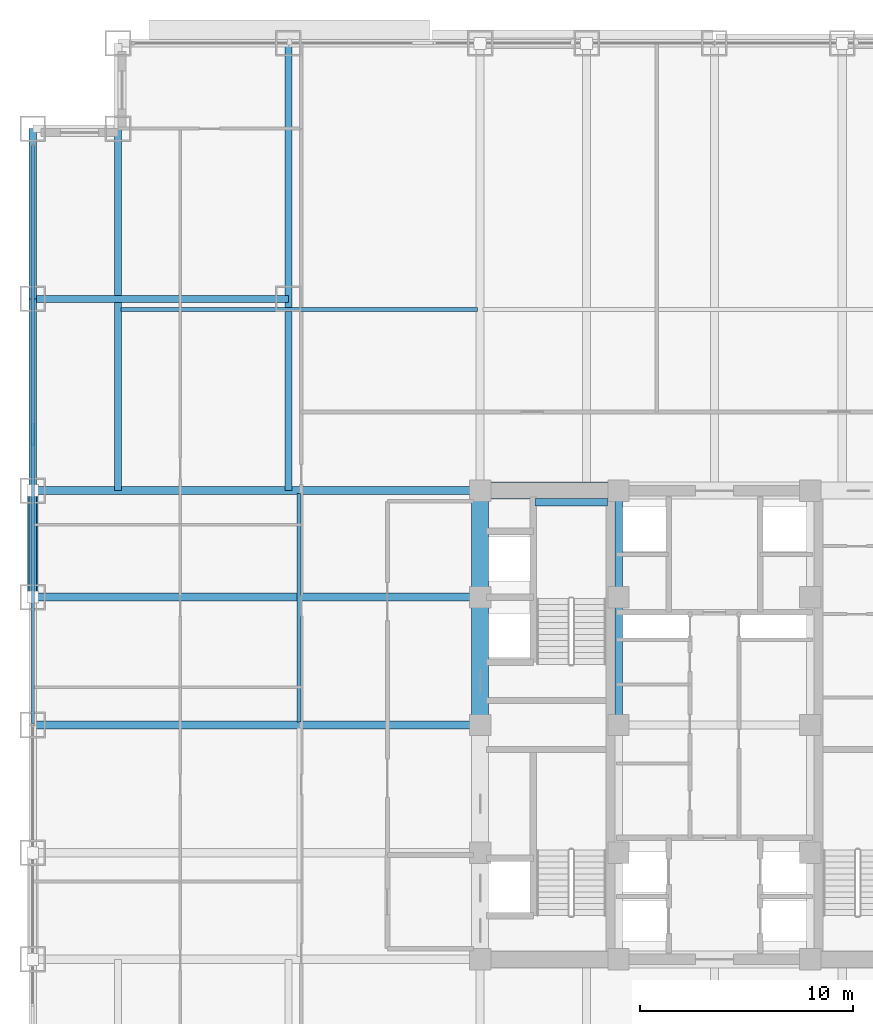
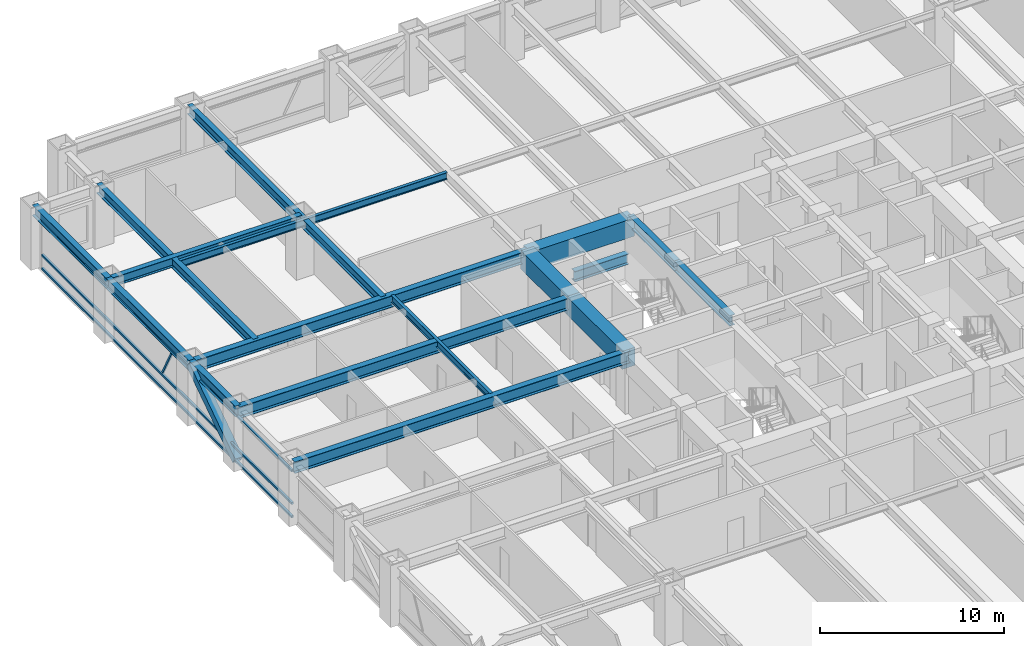
# One storey, part 9 of 32: 17 beams, 5 members, 1 element without a shape of its own.
"""IFC4 building model written with IfcOpenShell, lengths in metres."""

from ifc_helpers import new_model, si_unit, direction, frame, origin, origin_2d, place, context, subcontext, project, spatial, rectangle, hollow_rectangle, i_section, extrude, source, transform, mapped, material, material_profile, profile_set, type_object, element, aggregate, save


model = new_model("IFC4")

# Units and contexts
model_context = context("Model", 3, precision=1e-05, world=origin(), true_north=direction((0.0, 1.0)))
body_context = subcontext(model_context, "Body", "Model", "MODEL_VIEW")
ifc_project = project(units=[si_unit("LENGTHUNIT", "METRE"), si_unit("AREAUNIT", "SQUARE_METRE"), si_unit("VOLUMEUNIT", "CUBIC_METRE"), si_unit("PLANEANGLEUNIT", "RADIAN"), si_unit("MASSUNIT", "GRAM", prefix="KILO")], contexts=[model_context])

# Site, building, storey
site_placement = place(None, origin())
site = spatial("IfcSite", under=ifc_project, at=site_placement, CompositionType="ELEMENT")
building_placement = place(site_placement, origin())
building = spatial("IfcBuilding", under=site, at=building_placement, Name="Khorayat Bourse Tower", CompositionType="ELEMENT")
storey_placement = place(building_placement, frame((0.0, 0.0, 128.300048828125)))
storey = spatial("IfcBuildingStorey", under=building, at=storey_placement, Name="L29", CompositionType="ELEMENT", Elevation=128.300048828125)

# Beams
ifc_material_1 = material(Name="Concrete C72/90", Category="concrete")
ifc_material_profile_1 = material_profile(ifc_material_1, rectangle(XDim=0.800048828125, YDim=1.199951171875, at=origin_2d()), Name="RC 800x1200")
ifc_profile_set_1 = profile_set([ifc_material_profile_1], Name="Concrete C72/90")
beam_type_1 = type_object("IfcBeamType", Name="BM-COUP-1200", PredefinedType="BEAM", material=ifc_profile_set_1)
shared_shape_1 = source(origin(), body_context, "Body", "SweptSolid", [
    extrude(rectangle(XDim=0.800048828125, YDim=1.199951171875, at=origin_2d()), origin(), (0.0, 0.0, 1.0), 5.0),
])
beam_1_placement = place(storey_placement, frame((-11.0, 6.0, 3.239990234375), z_axis=(0.0, 1.0, 0.0), x_axis=(-1.0, 0.0, 0.0)))
element("IfcBeam", 1, at=beam_1_placement, inside=storey, type_object=beam_type_1, Name="L29 BM-COUP-1200 BM-L29-CRX-04", PredefinedType="BEAM", context=body_context, shape_type="MappedRepresentation", body=[
    mapped(shared_shape_1, transform((0.0, 0.0, 0.0), scale=1.0)),
])
shared_shape_2 = source(origin(), body_context, "Body", "SweptSolid", [
    extrude(rectangle(XDim=0.800048828125, YDim=1.199951171875, at=origin_2d()), origin(), (0.0, 0.0, 1.0), 6.0),
])
beam_2_placement = place(storey_placement, frame((-11.0, 0.0, 3.239990234375), z_axis=(0.0, 1.0, 0.0), x_axis=(-1.0, 0.0, 0.0)))
element("IfcBeam", 2, at=beam_2_placement, inside=storey, type_object=beam_type_1, Name="L29 BM-COUP-1200 BM-L29-CRX-03", PredefinedType="BEAM", context=body_context, shape_type="MappedRepresentation", body=[
    mapped(shared_shape_2, transform((0.0, 0.0, 0.0), scale=1.0)),
])
ifc_material_2 = material(Name="Steel ASTM A992 Grade 50", Category="steel")
ifc_material_profile_2 = material_profile(ifc_material_2, i_section(OverallWidth=0.35498046875, OverallDepth=0.695068359375, WebThickness=0.015380859375, FlangeThickness=0.02490234375, FilletRadius=0.01806640625, at=origin_2d()), Name="W690X217")
ifc_profile_set_2 = profile_set([ifc_material_profile_2], Name="Steel ASTM A992 Grade 50")
beam_type_2 = type_object("IfcBeamType", Name="BM-GIRD-690", PredefinedType="BEAM", material=ifc_profile_set_2)
shared_shape_3 = source(origin(), body_context, "Body", "SweptSolid", [
    extrude(i_section(OverallWidth=0.35498046875, OverallDepth=0.695068359375, WebThickness=0.015380859375, FlangeThickness=0.02490234375, FilletRadius=0.01806640625, at=origin_2d()), origin(), (0.0, 0.0, 1.0), 5.0),
])
beam_3_placement = place(storey_placement, frame((-4.5, 6.0, 3.492431640625), z_axis=(0.0, 1.0, 0.0), x_axis=(-1.0, 0.0, 0.0)))
element("IfcBeam", 3, at=beam_3_placement, inside=storey, type_object=beam_type_2, Name="L29 BM-GIRD-690 BM-L29-CRX-08", PredefinedType="BEAM", context=body_context, shape_type="MappedRepresentation", body=[
    mapped(shared_shape_3, transform((0.0, 0.0, 0.0), scale=1.0)),
])
shared_shape_4 = source(origin(), body_context, "Body", "SweptSolid", [
    extrude(i_section(OverallWidth=0.35498046875, OverallDepth=0.695068359375, WebThickness=0.015380859375, FlangeThickness=0.02490234375, FilletRadius=0.01806640625, at=origin_2d()), origin(), (0.0, 0.0, 1.0), 6.0),
])
beam_4_placement = place(storey_placement, frame((-4.5, 0.0, 3.492431640625), z_axis=(0.0, 1.0, 0.0), x_axis=(-1.0, 0.0, 0.0)))
element("IfcBeam", 4, at=beam_4_placement, inside=storey, type_object=beam_type_2, Name="L29 BM-GIRD-690 BM-L29-CRX-07", PredefinedType="BEAM", context=body_context, shape_type="MappedRepresentation", body=[
    mapped(shared_shape_4, transform((0.0, 0.0, 0.0), scale=1.0)),
])
shared_shape_5 = source(origin(), body_context, "Body", "SweptSolid", [
    extrude(rectangle(XDim=0.800048828125, YDim=1.199951171875, at=origin_2d()), origin(), (0.0, 0.0, 1.0), 6.5),
])
beam_5_placement = place(storey_placement, frame((-11.0, 11.0, 3.239990234375), z_axis=(1.0, 0.0, 0.0), x_axis=(0.0, 1.0, 0.0)))
element("IfcBeam", 5, at=beam_5_placement, inside=storey, type_object=beam_type_1, Name="L29 BM-COUP-1200 BM-L29-CRY-20", PredefinedType="BEAM", context=body_context, shape_type="MappedRepresentation", body=[
    mapped(shared_shape_5, transform((0.0, 0.0, 0.0), scale=1.0)),
])
shared_shape_6 = source(origin(), body_context, "Body", "SweptSolid", [
    extrude(i_section(OverallWidth=0.35498046875, OverallDepth=0.695068359375, WebThickness=0.015380859375, FlangeThickness=0.02490234375, FilletRadius=0.01806640625, at=origin_2d()), origin(), (0.0, 0.0, 1.0), 3.39990234375),
])
beam_6_placement = place(storey_placement, frame((-8.419921875, 10.449951171875, 1.50244140625), z_axis=(1.0, 0.0, 0.0), x_axis=(0.0, 1.0, 0.0)))
element("IfcBeam", 6, at=beam_6_placement, inside=storey, type_object=beam_type_2, Name="L29 BM-GIRD-690 BM-L29-ST2L", PredefinedType="BEAM", context=body_context, shape_type="MappedRepresentation", body=[
    mapped(shared_shape_6, transform((0.0, 0.0, 0.0), scale=1.0)),
])
ifc_material_profile_3 = material_profile(ifc_material_2, i_section(OverallWidth=0.35498046875, OverallDepth=0.695068359375, WebThickness=0.015380859375, FlangeThickness=0.02490234375, FilletRadius=0.01806640625, at=origin_2d()), Name="W690X217")
ifc_profile_set_3 = profile_set([ifc_material_profile_3], Name="Steel ASTM A992 Grade 50")
beam_type_3 = type_object("IfcBeamType", Name="BM-SPAN-690", PredefinedType="SPANDREL", material=ifc_profile_set_3)
shared_shape_7 = source(origin(), body_context, "Body", "SweptSolid", [
    extrude(i_section(OverallWidth=0.35498046875, OverallDepth=0.695068359375, WebThickness=0.015380859375, FlangeThickness=0.02490234375, FilletRadius=0.01806640625, at=origin_2d()), origin(), (0.0, 0.0, 1.0), 9.0),
])
beam_7_placement = place(storey_placement, frame((-32.0, 11.0, 3.492431640625), z_axis=(0.0, 1.0, 0.0), x_axis=(-1.0, 0.0, 0.0)))
element("IfcBeam", 7, at=beam_7_placement, inside=storey, type_object=beam_type_3, Name="L29 BM-SPAN-690 BM-L29-SPN-055", PredefinedType="SPANDREL", context=body_context, shape_type="MappedRepresentation", body=[
    mapped(shared_shape_7, transform((0.0, 0.0, 0.0), scale=1.0)),
])
shared_shape_8 = source(origin(), body_context, "Body", "SweptSolid", [
    extrude(i_section(OverallWidth=0.35498046875, OverallDepth=0.695068359375, WebThickness=0.015380859375, FlangeThickness=0.02490234375, FilletRadius=0.01806640625, at=origin_2d()), origin(), (0.0, 0.0, 1.0), 5.0),
])
beam_8_placement = place(storey_placement, frame((-32.0, 6.0, 3.492431640625), z_axis=(0.0, 1.0, 0.0), x_axis=(-1.0, 0.0, 0.0)))
element("IfcBeam", 8, at=beam_8_placement, inside=storey, type_object=beam_type_3, Name="L29 BM-SPAN-690 BM-L29-SPN-056", PredefinedType="SPANDREL", context=body_context, shape_type="MappedRepresentation", body=[
    mapped(shared_shape_8, transform((0.0, 0.0, 0.0), scale=1.0)),
])
ifc_material_profile_4 = material_profile(ifc_material_2, i_section(OverallWidth=0.324951171875, OverallDepth=0.615966796875, WebThickness=0.013916015625, FlangeThickness=0.021484375, FilletRadius=0.01611328125, at=origin_2d()), Name="W610X174")
ifc_profile_set_4 = profile_set([ifc_material_profile_4], Name="Steel ASTM A992 Grade 50")
beam_type_4 = type_object("IfcBeamType", Name="BM-GIRD-610", PredefinedType="BEAM", material=ifc_profile_set_4)
shared_shape_9 = source(origin(), body_context, "Body", "SweptSolid", [
    extrude(i_section(OverallWidth=0.324951171875, OverallDepth=0.615966796875, WebThickness=0.013916015625, FlangeThickness=0.021484375, FilletRadius=0.01611328125, at=origin_2d()), origin(), (0.0, 0.0, 1.0), 21.0),
])
beam_9_placement = place(storey_placement, frame((-20.0, 11.0, 3.531982421875), z_axis=(0.0, 1.0, 0.0), x_axis=(-1.0, 0.0, 0.0)))
element("IfcBeam", 9, at=beam_9_placement, inside=storey, type_object=beam_type_4, Name="L29 BM-GIRD-610 BM-L29-CNRY-085", PredefinedType="BEAM", context=body_context, shape_type="MappedRepresentation", body=[
    mapped(shared_shape_9, transform((0.0, 0.0, 0.0), scale=1.0)),
])
shared_shape_10 = source(origin(), body_context, "Body", "SweptSolid", [
    extrude(i_section(OverallWidth=0.324951171875, OverallDepth=0.615966796875, WebThickness=0.013916015625, FlangeThickness=0.021484375, FilletRadius=0.01611328125, at=origin_2d()), origin(), (0.0, 0.0, 1.0), 12.0),
])
beam_10_placement = place(storey_placement, frame((-32.0, 20.0, 3.531982421875), z_axis=(1.0, 0.0, 0.0), x_axis=(0.0, 1.0, 0.0)))
element("IfcBeam", 10, at=beam_10_placement, inside=storey, type_object=beam_type_4, Name="L29 BM-GIRD-610 BM-L29-CNRX-095", PredefinedType="BEAM", context=body_context, shape_type="MappedRepresentation", body=[
    mapped(shared_shape_10, transform((0.0, 0.0, 0.0), scale=1.0)),
])
ifc_material_profile_5 = material_profile(ifc_material_2, i_section(OverallWidth=0.194091796875, OverallDepth=0.468994140625, WebThickness=0.0126953125, FlangeThickness=0.0205078125, FilletRadius=0.012939453125, at=origin_2d()), Name="W460X106")
ifc_profile_set_5 = profile_set([ifc_material_profile_5], Name="Steel ASTM A992 Grade 50")
beam_type_5 = type_object("IfcBeamType", Name="BM-JOIST-460", PredefinedType="JOIST", material=ifc_profile_set_5)
shared_shape_11 = source(origin(), body_context, "Body", "SweptSolid", [
    extrude(i_section(OverallWidth=0.194091796875, OverallDepth=0.468994140625, WebThickness=0.0126953125, FlangeThickness=0.0205078125, FilletRadius=0.012939453125, at=origin_2d()), origin(), (0.0, 0.0, 1.0), 10.740234375),
])
beam_11_placement = place(storey_placement, frame((-19.5, 0.1298828125, 3.60546875), z_axis=(0.0, 1.0, 0.0), x_axis=(-1.0, 0.0, 0.0)))
element("IfcBeam", 11, at=beam_11_placement, inside=storey, type_object=beam_type_5, Name="L29 BM-JOIST-460 BM-L29-JSTY-103", PredefinedType="JOIST", context=body_context, shape_type="MappedRepresentation", body=[
    mapped(shared_shape_11, transform((0.0, 0.0, 0.0), scale=1.0)),
])
shared_shape_12 = source(origin(), body_context, "Body", "SweptSolid", [
    extrude(i_section(OverallWidth=0.35498046875, OverallDepth=0.695068359375, WebThickness=0.015380859375, FlangeThickness=0.02490234375, FilletRadius=0.01806640625, at=origin_2d()), origin(), (0.0, 0.0, 1.0), 8.0),
])
beam_12_placement = place(storey_placement, frame((-32.0, 20.0, 3.492431640625), z_axis=(0.0, 1.0, 0.0), x_axis=(-1.0, 0.0, 0.0)))
element("IfcBeam", 12, at=beam_12_placement, inside=storey, type_object=beam_type_3, Name="L29 BM-SPAN-690 BM-L29-SPN-054", PredefinedType="SPANDREL", context=body_context, shape_type="MappedRepresentation", body=[
    mapped(shared_shape_12, transform((0.0, 0.0, 0.0), scale=1.0)),
])
ifc_material_profile_6 = material_profile(ifc_material_2, i_section(OverallWidth=0.381103515625, OverallDepth=0.77294921875, WebThickness=0.0166015625, FlangeThickness=0.027587890625, FilletRadius=0.01806640625, at=origin_2d()), Name="W760X257")
ifc_profile_set_6 = profile_set([ifc_material_profile_6], Name="Steel ASTM A992 Grade 50")
beam_type_6 = type_object("IfcBeamType", Name="BM-GIRD-760", PredefinedType="BEAM", material=ifc_profile_set_6)
shared_shape_13 = source(origin(), body_context, "Body", "SweptSolid", [
    extrude(i_section(OverallWidth=0.381103515625, OverallDepth=0.77294921875, WebThickness=0.0166015625, FlangeThickness=0.027587890625, FilletRadius=0.01806640625, at=origin_2d()), origin(), (0.0, 0.0, 1.0), 21.0),
])
for number, where, z_axis, x_axis, name in (
    (13, (-32.0, 0.0, 3.453369140625), (1.0, 0.0, 0.0), (0.0, 1.0, 0.0), "L29 BM-GIRD-760 BM-L29-RADX-079"),
    (14, (-32.0, 6.0, 3.453369140625), (1.0, 0.0, 0.0), (0.0, 1.0, 0.0), "L29 BM-GIRD-760 BM-L29-RADX-081"),
    (15, (-32.0, 11.0, 3.453369140625), (1.0, 0.0, 0.0), (0.0, 1.0, 0.0), "L29 BM-GIRD-760 BM-L29-RADX-083"),
):
    element("IfcBeam", number, at=place(storey_placement, frame(where, z_axis=z_axis, x_axis=x_axis)), inside=storey, type_object=beam_type_6, Name=name, PredefinedType="BEAM", context=body_context, shape_type="MappedRepresentation", body=[
        mapped(shared_shape_13, transform((0.0, 0.0, 0.0), scale=1.0)),
    ])
shared_shape_14 = source(origin(), body_context, "Body", "SweptSolid", [
    extrude(i_section(OverallWidth=0.324951171875, OverallDepth=0.615966796875, WebThickness=0.013916015625, FlangeThickness=0.021484375, FilletRadius=0.01611328125, at=origin_2d()), origin(), (0.0, 0.0, 1.0), 17.0),
])
beam_13_placement = place(storey_placement, frame((-28.0, 11.0, 3.531982421875), z_axis=(0.0, 1.0, 0.0), x_axis=(-1.0, 0.0, 0.0)))
element("IfcBeam", 16, at=beam_13_placement, inside=storey, type_object=beam_type_4, Name="L29 BM-GIRD-610 BM-L29-CNRY-089", PredefinedType="BEAM", context=body_context, shape_type="MappedRepresentation", body=[
    mapped(shared_shape_14, transform((0.0, 0.0, 0.0), scale=1.0)),
])
shared_shape_15 = source(origin(), body_context, "Body", "SweptSolid", [
    extrude(i_section(OverallWidth=0.194091796875, OverallDepth=0.468994140625, WebThickness=0.0126953125, FlangeThickness=0.0205078125, FilletRadius=0.012939453125, at=origin_2d()), origin(), (0.0, 0.0, 1.0), 16.740234375),
])
beam_14_placement = place(storey_placement, frame((-27.8701171875, 19.5, 3.60546875), z_axis=(1.0, 0.0, 0.0), x_axis=(0.0, 1.0, 0.0)))
element("IfcBeam", 17, at=beam_14_placement, inside=storey, type_object=beam_type_5, Name="L29 BM-JOIST-460 BM-L29-JSTX-099", PredefinedType="JOIST", context=body_context, shape_type="MappedRepresentation", body=[
    mapped(shared_shape_15, transform((0.0, 0.0, 0.0), scale=1.0)),
])

# Member
ifc_material_3 = material(Name="Steel EN 10025-4 S460M", Category="steel")
ifc_material_profile_7 = material_profile(ifc_material_3, hollow_rectangle(XDim=0.5, YDim=0.5, WallThickness=0.028076171875, at=origin_2d()), Name="HSS 500x500x28")
ifc_profile_set_7 = profile_set([ifc_material_profile_7], Name="Steel EN 10025-4 S460M")
member_type_1 = type_object("IfcMemberType", Name="MBR-TUBE-500", PredefinedType="BRACE", material=ifc_profile_set_7)
shared_shape_16 = source(origin(), body_context, "Body", "SweptSolid", [
    extrude(hollow_rectangle(XDim=0.5, YDim=0.5, WallThickness=0.028076171875, at=origin_2d()), origin(), (0.0, 0.0, 1.0), 6.012939453125),
])
member_1_placement = place(storey_placement, frame((-32.0, 6.0, 0.25), z_axis=(0.0, 0.831550226979, 0.555449565677), x_axis=(-1.0, 0.0, 0.0)))
element("IfcMember", 18, at=member_1_placement, inside=storey, type_object=member_type_1, Name="L29 Perimeter Tube Brace 06", PredefinedType="BRACE", context=body_context, shape_type="MappedRepresentation", body=[
    mapped(shared_shape_16, transform((0.0, 0.0, 0.0), scale=1.0)),
])

# Curtain wall, members
ifc_material_4 = material(Name="Aluminium EN AW-6063 T6", Category="aluminium")
curtain_wall_type = type_object("IfcCurtainWallType", Name="CW-SYS-02", PredefinedType="NOTDEFINED", material=ifc_material_4)
curtain_wall_placement = place(storey_placement, origin())
curtain_wall = element("IfcCurtainWall", 19, at=curtain_wall_placement, inside=storey, type_object=curtain_wall_type, Name="L29 Curtain Wall CW-L29-W1", PredefinedType="NOTDEFINED")
ifc_material_profile_8 = material_profile(ifc_material_4, hollow_rectangle(XDim=0.139892578125, YDim=0.139892578125, WallThickness=0.006103515625, at=origin_2d()), Name="ALU 140x140x6")
ifc_profile_set_8 = profile_set([ifc_material_profile_8], Name="Aluminium EN AW-6063 T6")
member_type_2 = type_object("IfcMemberType", Name="CWT-HORZ-140", PredefinedType="USERDEFINED", material=ifc_profile_set_8)
shared_shape_17 = source(origin(), body_context, "Body", "SweptSolid", [
    extrude(hollow_rectangle(XDim=0.139892578125, YDim=0.139892578125, WallThickness=0.006103515625, at=origin_2d()), origin(), (0.0, 0.0, 1.0), 27.139892578125),
])
member_2_placement = place(storey_placement, frame((-32.0, 0.070068359375, 0.070068359375), z_axis=(0.0, 1.0, 0.0), x_axis=(-1.0, 0.0, 0.0)))
member_2 = element("IfcMember", 20, at=member_2_placement, type_object=member_type_2, Name="CW-L29-W1 Horizontal Transom 2-1", ObjectType="TRANSOM", PredefinedType="USERDEFINED", context=body_context, shape_type="MappedRepresentation", body=[
    mapped(shared_shape_17, transform((0.0, 0.0, 0.0), scale=1.0)),
])
member_3_placement = place(storey_placement, frame((-32.0, 0.070068359375, 0.949951171875), z_axis=(0.0, 1.0, 0.0), x_axis=(-1.0, 0.0, 0.0)))
member_3 = element("IfcMember", 21, at=member_3_placement, type_object=member_type_2, Name="CW-L29-W1 Horizontal Transom 2-2", ObjectType="TRANSOM", PredefinedType="USERDEFINED", context=body_context, shape_type="MappedRepresentation", body=[
    mapped(shared_shape_17, transform((0.0, 0.0, 0.0), scale=1.0)),
])
member_4_placement = place(storey_placement, frame((-32.0, 0.070068359375, 3.119873046875), z_axis=(0.0, 1.0, 0.0), x_axis=(-1.0, 0.0, 0.0)))
member_4 = element("IfcMember", 22, at=member_4_placement, type_object=member_type_2, Name="CW-L29-W1 Horizontal Transom 2-3", ObjectType="TRANSOM", PredefinedType="USERDEFINED", context=body_context, shape_type="MappedRepresentation", body=[
    mapped(shared_shape_17, transform((0.0, 0.0, 0.0), scale=1.0)),
])
ifc_material_profile_9 = material_profile(ifc_material_4, hollow_rectangle(XDim=0.1201171875, YDim=0.1201171875, WallThickness=0.0048828125, at=origin_2d()), Name="ALU 120x120x5")
ifc_profile_set_9 = profile_set([ifc_material_profile_9], Name="Aluminium EN AW-6063 T6")
member_type_3 = type_object("IfcMemberType", Name="CWM-DIAG-120", PredefinedType="MULLION", material=ifc_profile_set_9)
shared_shape_18 = source(origin(), body_context, "Body", "SweptSolid", [
    extrude(hollow_rectangle(XDim=0.1201171875, YDim=0.1201171875, WallThickness=0.0048828125, at=origin_2d()), origin(), (0.0, 0.0, 1.0), 2.11328125),
])
member_5_placement = place(storey_placement, frame((-32.0, 14.132080078125, 1.099853515625), z_axis=(0.0, -0.465694055905, 0.884945787207), x_axis=(1.0, 0.0, 0.0)))
member_5 = element("IfcMember", 23, at=member_5_placement, type_object=member_type_3, Name="CW-L29-W1 Faceted Diagonal Mullion 2", PredefinedType="MULLION", context=body_context, shape_type="MappedRepresentation", body=[
    mapped(shared_shape_18, transform((0.0, 0.0, 0.0), scale=1.0)),
])
aggregate(curtain_wall, [member_2, member_3, member_4, member_5])

save(model, "model.ifc")
